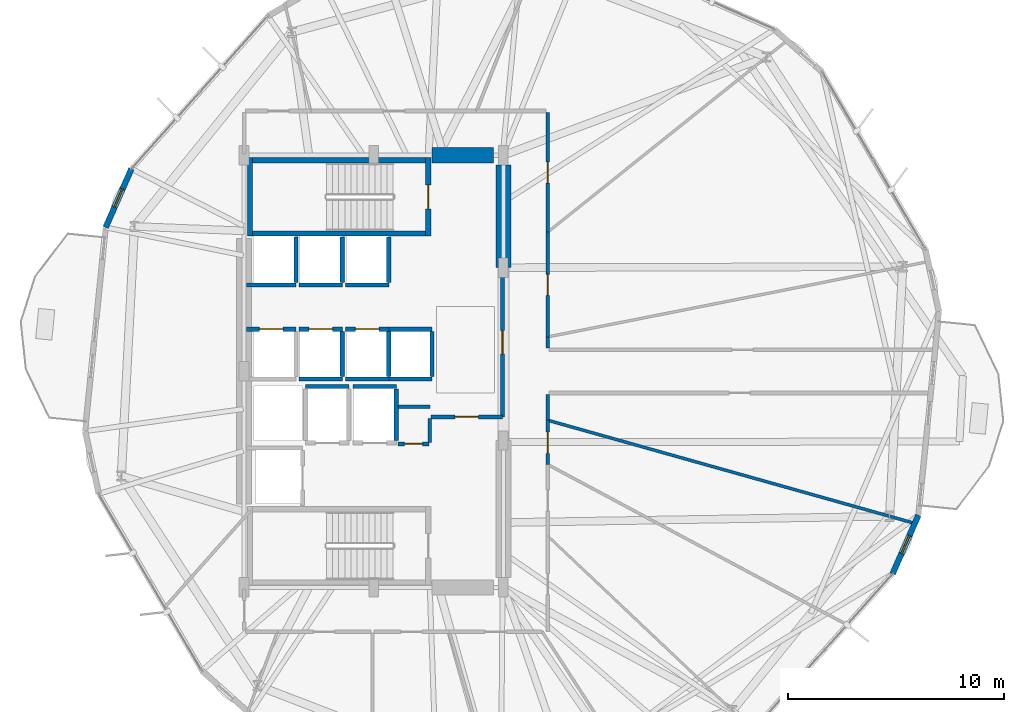
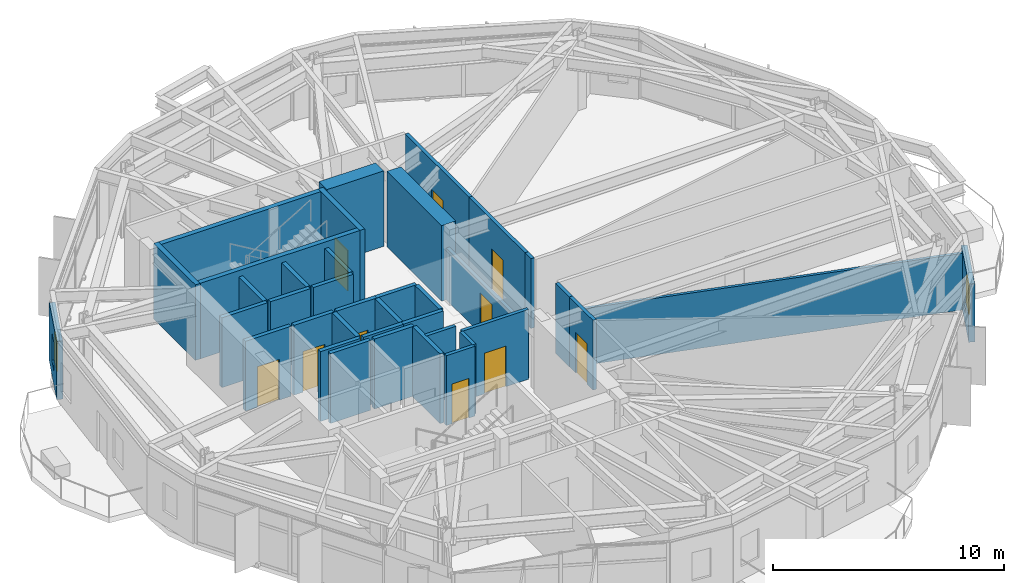
# One storey, part 18 of 22: 38 walls, 10 doors, 2 windows, 12 openings.
"""IFC4 building model written with IfcOpenShell, lengths in metres."""

from ifc_helpers import new_model, si_unit, direction, frame, frame_2d, origin, place, context, subcontext, project, spatial, rectangle, extrude, material, layer, layer_set, type_object, element, fill, save


model = new_model("IFC4")

# Units and contexts
model_context = context("Model", 3, precision=1e-05, world=origin(), true_north=direction((0.0, 1.0)))
body_context = subcontext(model_context, "Body", "Model", "MODEL_VIEW")
ifc_project = project(units=[si_unit("LENGTHUNIT", "METRE"), si_unit("AREAUNIT", "SQUARE_METRE"), si_unit("VOLUMEUNIT", "CUBIC_METRE"), si_unit("PLANEANGLEUNIT", "RADIAN"), si_unit("MASSUNIT", "GRAM", prefix="KILO")], contexts=[model_context])

# Site, building, storey
site_placement = place(None, origin())
site = spatial("IfcSite", under=ifc_project, at=site_placement, CompositionType="ELEMENT")
building_placement = place(site_placement, origin())
building = spatial("IfcBuilding", under=site, at=building_placement, Name="Soratama Intermodal Tower", CompositionType="ELEMENT")
storey_placement = place(building_placement, frame((0.0, 0.0, 74.60009765625)))
storey = spatial("IfcBuildingStorey", under=building, at=storey_placement, Name="L17", CompositionType="ELEMENT", Elevation=74.60009765625)

# Wall, opening, window
ifc_material_1 = material(Name="Concrete f'c 42 MPa", Category="concrete")
ifc_layer_1 = layer(ifc_material_1, 0.27001953125)
ifc_layer_set_1 = layer_set([ifc_layer_1], Name="Concrete f'c 42 MPa")
wall_type_1 = type_object("IfcWallType", Name="EW-CRN-270", PredefinedType="SOLIDWALL", material=ifc_layer_set_1)
wall_1_placement = place(storey_placement, frame((27.385009765625, 34.375, 0.0), z_axis=(0.0, 0.0, 1.0), x_axis=(-0.402859965055, -0.915261628473, 0.0)))
wall_1 = element("IfcWall", 1, at=wall_1_placement, inside=storey, type_object=wall_type_1, Name="L17 Corner Closure Wall 04", PredefinedType="SOLIDWALL", context=body_context, shape_type="SweptSolid", body=[
    extrude(rectangle(XDim=2.966552734375, YDim=0.27001953125, at=frame_2d((1.4833984375, 0.0))), origin(), (0.0, 0.0, 1.0), 3.078857421875),
])
opening_1_placement = place(wall_1_placement, frame((1.033203125, 0.0, 0.75)))
opening_1 = element("IfcOpeningElement", 2, at=opening_1_placement, cuts=wall_1, Name="Opening WN-6", PredefinedType="OPENING", context=body_context, shape_type="SweptSolid", body=[
    extrude(rectangle(XDim=0.89990234375, YDim=1.5, at=frame_2d((0.449951171875, 0.75))), frame((0.0, 0.14501953125, 0.0), z_axis=(0.0, -1.0, 0.0), x_axis=(1.0, 0.0, 0.0)), (0.0, 0.0, 1.0), 0.2900390625),
])
ifc_material_2 = material(Name="Double-glazed aluminium window", Category="aluminium")
window_type = type_object("IfcWindowType", Name="WN-FAC-900", PartitioningType="SINGLE_PANEL", PredefinedType="WINDOW", material=ifc_material_2)
window_1_placement = place(opening_1_placement, origin())
window_1 = element("IfcWindow", 3, at=window_1_placement, inside=storey, type_object=window_type, Name="L17 Corner Window 04", OverallHeight=1.5, OverallWidth=0.89990234375, PartitioningType="SINGLE_PANEL", PredefinedType="WINDOW", context=body_context, shape_type="SweptSolid", body=[
    extrude(rectangle(XDim=0.89990234375, YDim=1.5, at=frame_2d((0.449951171875, 0.75))), frame((0.0, 0.030029296875, 0.0), z_axis=(0.0, -1.0, 0.0), x_axis=(1.0, 0.0, 0.0)), (0.0, 0.0, 1.0), 0.06005859375),
])
fill(opening_1, window_1)

wall_2_placement = place(storey_placement, frame((62.614990234375, 15.625, 0.0), z_axis=(0.0, 0.0, 1.0), x_axis=(0.402859965055, 0.915261628473, 0.0)))
wall_2 = element("IfcWall", 4, at=wall_2_placement, inside=storey, type_object=wall_type_1, Name="L17 Corner Closure Wall 09", PredefinedType="SOLIDWALL", context=body_context, shape_type="SweptSolid", body=[
    extrude(rectangle(XDim=2.966552734375, YDim=0.27001953125, at=frame_2d((1.4833984375, 0.0))), origin(), (0.0, 0.0, 1.0), 3.078857421875),
])
opening_2_placement = place(wall_2_placement, frame((1.033203125, 0.0, 0.75)))
opening_2 = element("IfcOpeningElement", 5, at=opening_2_placement, cuts=wall_2, Name="Opening WN-6", PredefinedType="OPENING", context=body_context, shape_type="SweptSolid", body=[
    extrude(rectangle(XDim=0.89990234375, YDim=1.5, at=frame_2d((0.449951171875, 0.75))), frame((0.0, 0.14501953125, 0.0), z_axis=(0.0, -1.0, 0.0), x_axis=(1.0, 0.0, 0.0)), (0.0, 0.0, 1.0), 0.2900390625),
])
window_2_placement = place(opening_2_placement, origin())
window_2 = element("IfcWindow", 6, at=window_2_placement, inside=storey, type_object=window_type, Name="L17 Corner Window 09", OverallHeight=1.5, OverallWidth=0.89990234375, PartitioningType="SINGLE_PANEL", PredefinedType="WINDOW", context=body_context, shape_type="SweptSolid", body=[
    extrude(rectangle(XDim=0.89990234375, YDim=1.5, at=frame_2d((0.449951171875, 0.75))), frame((0.0, 0.030029296875, 0.0), z_axis=(0.0, -1.0, 0.0), x_axis=(1.0, 0.0, 0.0)), (0.0, 0.0, 1.0), 0.06005859375),
])
fill(opening_2, window_2)

# Wall, opening, door
ifc_material_3 = material(Name="Fire-rated gypsum stud partition", Category="concrete")
ifc_layer_2 = layer(ifc_material_3, 0.169921875)
ifc_layer_set_2 = layer_set([ifc_layer_2], Name="Fire-rated gypsum stud partition")
wall_type_2 = type_object("IfcWallType", Name="IW-PART-R170", PredefinedType="PARTITIONING", material=ifc_layer_set_2)
wall_3_placement = place(storey_placement, frame((44.56005859375, 29.800048828125, 0.0), z_axis=(0.0, 0.0, 1.0), x_axis=(0.0, -1.0, 0.0)))
wall_3 = element("IfcWall", 7, at=wall_3_placement, inside=storey, type_object=wall_type_2, Name="L17 Partition W-L17-TP012", PredefinedType="PARTITIONING", context=body_context, shape_type="SweptSolid", body=[
    extrude(rectangle(XDim=6.91015625, YDim=0.169921875, at=frame_2d((3.455078125, 0.0))), origin(), (0.0, 0.0, 1.0), 2.739990234375),
])
opening_3_placement = place(wall_3_placement, frame((2.9150390625, 0.0, 0.0)))
opening_3 = element("IfcOpeningElement", 8, at=opening_3_placement, cuts=wall_3, Name="Opening ID-1", PredefinedType="OPENING", context=body_context, shape_type="SweptSolid", body=[
    extrude(rectangle(XDim=1.080078125, YDim=2.14990234375, at=frame_2d((0.5400390625, 1.074951171875))), frame((0.0, 0.094970703125, 0.0), z_axis=(0.0, -1.0, 0.0), x_axis=(1.0, 0.0, 0.0)), (0.0, 0.0, 1.0), 0.18994140625),
])
ifc_material_4 = material(Name="Solid hardwood acoustic door", Category="wood")
door_type_1 = type_object("IfcDoorType", Name="DR-LOB-FD60", OperationType="NOTDEFINED", PredefinedType="DOOR", material=ifc_material_4)
door_1_placement = place(opening_3_placement, origin())
door_1 = element("IfcDoor", 9, at=door_1_placement, inside=storey, type_object=door_type_1, Name="L17 Door D-L17-TP004", OperationType="SINGLE_SWING_LEFT", OverallHeight=2.14990234375, OverallWidth=1.080078125, PredefinedType="DOOR", context=body_context, shape_type="SweptSolid", body=[
    extrude(rectangle(XDim=1.080078125, YDim=2.14990234375, at=frame_2d((0.5400390625, 1.074951171875))), frame((0.0, 0.02490234375, 0.0), z_axis=(0.0, -1.0, 0.0), x_axis=(1.0, 0.0, 0.0)), (0.0, 0.0, 1.0), 0.050048828125),
])
fill(opening_3, door_1)

wall_4_placement = place(storey_placement, frame((46.64990234375, 36.97998046875, 0.0), z_axis=(0.0, 0.0, 1.0), x_axis=(0.0, -1.0, 0.0)))
wall_4 = element("IfcWall", 10, at=wall_4_placement, inside=storey, type_object=wall_type_2, Name="L17 Partition W-L17-TP015", PredefinedType="PARTITIONING", context=body_context, shape_type="SweptSolid", body=[
    extrude(rectangle(XDim=5.5380859375, YDim=0.169921875, at=frame_2d((2.76904296875, 0.0))), origin(), (0.0, 0.0, 1.0), 3.699951171875),
])
opening_4_placement = place(wall_4_placement, frame((2.2939453125, 0.0, 0.0)))
opening_4 = element("IfcOpeningElement", 11, at=opening_4_placement, cuts=wall_4, Name="Opening ID-5", PredefinedType="OPENING", context=body_context, shape_type="SweptSolid", body=[
    extrude(rectangle(XDim=0.97998046875, YDim=2.14990234375, at=frame_2d((0.489990234375, 1.074951171875))), frame((0.0, 0.094970703125, 0.0), z_axis=(0.0, -1.0, 0.0), x_axis=(1.0, 0.0, 0.0)), (0.0, 0.0, 1.0), 0.18994140625),
])
ifc_material_5 = material(Name="Solid hardwood acoustic door", Category="wood")
door_type_2 = type_object("IfcDoorType", Name="DR-OFF-980", OperationType="NOTDEFINED", PredefinedType="DOOR", material=ifc_material_5)
door_2_placement = place(opening_4_placement, origin())
door_2 = element("IfcDoor", 12, at=door_2_placement, inside=storey, type_object=door_type_2, Name="L17 Door D-L17-TP005", OperationType="SINGLE_SWING_RIGHT", OverallHeight=2.14990234375, OverallWidth=0.97998046875, PredefinedType="DOOR", context=body_context, shape_type="SweptSolid", body=[
    extrude(rectangle(XDim=0.97998046875, YDim=2.14990234375, at=frame_2d((0.489990234375, 1.074951171875))), frame((0.0, 0.02490234375, 0.0), z_axis=(0.0, -1.0, 0.0), x_axis=(1.0, 0.0, 0.0)), (0.0, 0.0, 1.0), 0.050048828125),
])
fill(opening_4, door_2)

wall_5_placement = place(storey_placement, frame((46.64990234375, 31.44189453125, 0.0), z_axis=(0.0, 0.0, 1.0), x_axis=(0.0, -1.0, 0.0)))
wall_5 = element("IfcWall", 13, at=wall_5_placement, inside=storey, type_object=wall_type_2, Name="L17 Partition W-L17-TP017", PredefinedType="PARTITIONING", context=body_context, shape_type="SweptSolid", body=[
    extrude(rectangle(XDim=4.848876953125, YDim=0.169921875, at=frame_2d((2.42431640625, 0.0))), origin(), (0.0, 0.0, 1.0), 3.699951171875),
])
opening_5_placement = place(wall_5_placement, frame((1.949951171875, 0.0, 0.0)))
opening_5 = element("IfcOpeningElement", 14, at=opening_5_placement, cuts=wall_5, Name="Opening ID-5", PredefinedType="OPENING", context=body_context, shape_type="SweptSolid", body=[
    extrude(rectangle(XDim=0.97998046875, YDim=2.14990234375, at=frame_2d((0.489990234375, 1.074951171875))), frame((0.0, 0.094970703125, 0.0), z_axis=(0.0, -1.0, 0.0), x_axis=(1.0, 0.0, 0.0)), (0.0, 0.0, 1.0), 0.18994140625),
])
door_3_placement = place(opening_5_placement, origin())
door_3 = element("IfcDoor", 15, at=door_3_placement, inside=storey, type_object=door_type_2, Name="L17 Door D-L17-TP006", OperationType="SINGLE_SWING_LEFT", OverallHeight=2.14990234375, OverallWidth=0.97998046875, PredefinedType="DOOR", context=body_context, shape_type="SweptSolid", body=[
    extrude(rectangle(XDim=0.97998046875, YDim=2.14990234375, at=frame_2d((0.489990234375, 1.074951171875))), frame((0.0, 0.02490234375, 0.0), z_axis=(0.0, -1.0, 0.0), x_axis=(1.0, 0.0, 0.0)), (0.0, 0.0, 1.0), 0.050048828125),
])
fill(opening_5, door_3)

wall_6_placement = place(storey_placement, frame((41.239990234375, 22.889892578125, 0.0), z_axis=(0.0, 0.0, 1.0), x_axis=(1.0, 0.0, 0.0)))
wall_6 = element("IfcWall", 16, at=wall_6_placement, inside=storey, type_object=wall_type_2, Name="L17 Partition W-L17-TP023", PredefinedType="PARTITIONING", context=body_context, shape_type="SweptSolid", body=[
    extrude(rectangle(XDim=3.320068359375, YDim=0.169921875, at=frame_2d((1.66015625, 0.0))), origin(), (0.0, 0.0, 1.0), 3.699951171875),
])
opening_6_placement = place(wall_6_placement, frame((1.1201171875, 0.0, 0.0)))
opening_6 = element("IfcOpeningElement", 17, at=opening_6_placement, cuts=wall_6, Name="Opening ID-0", PredefinedType="OPENING", context=body_context, shape_type="SweptSolid", body=[
    extrude(rectangle(XDim=1.080078125, YDim=2.14990234375, at=frame_2d((0.5400390625, 1.074951171875))), frame((0.0, 0.094970703125, 0.0), z_axis=(0.0, -1.0, 0.0), x_axis=(1.0, 0.0, 0.0)), (0.0, 0.0, 1.0), 0.18994140625),
])
ifc_material_6 = material(Name="Solid hardwood acoustic door", Category="wood")
door_type_3 = type_object("IfcDoorType", Name="DR-LOB-FD90", OperationType="NOTDEFINED", PredefinedType="DOOR", material=ifc_material_6)
door_4_placement = place(opening_6_placement, origin())
door_4 = element("IfcDoor", 18, at=door_4_placement, inside=storey, type_object=door_type_3, Name="L17 Door D-L17-TP011", OperationType="SINGLE_SWING_RIGHT", OverallHeight=2.14990234375, OverallWidth=1.080078125, PredefinedType="DOOR", context=body_context, shape_type="SweptSolid", body=[
    extrude(rectangle(XDim=1.080078125, YDim=2.14990234375, at=frame_2d((0.5400390625, 1.074951171875))), frame((0.0, 0.02490234375, 0.0), z_axis=(0.0, -1.0, 0.0), x_axis=(1.0, 0.0, 0.0)), (0.0, 0.0, 1.0), 0.050048828125),
])
fill(opening_6, door_4)

wall_7_placement = place(storey_placement, frame((46.64990234375, 22.738037109375, 0.0), z_axis=(0.0, 0.0, 1.0), x_axis=(0.0, -1.0, 0.0)))
wall_7 = element("IfcWall", 19, at=wall_7_placement, inside=storey, type_object=wall_type_2, Name="L17 Partition W-L17-TP027", PredefinedType="PARTITIONING", context=body_context, shape_type="SweptSolid", body=[
    extrude(rectangle(XDim=2.049072265625, YDim=0.169921875, at=frame_2d((1.0244140625, 0.0))), origin(), (0.0, 0.0, 1.0), 3.699951171875),
])
opening_7_placement = place(wall_7_placement, frame((0.549072265625, 0.0, 0.0)))
opening_7 = element("IfcOpeningElement", 20, at=opening_7_placement, cuts=wall_7, Name="Opening ID-5", PredefinedType="OPENING", context=body_context, shape_type="SweptSolid", body=[
    extrude(rectangle(XDim=0.97998046875, YDim=2.14990234375, at=frame_2d((0.489990234375, 1.074951171875))), frame((0.0, 0.094970703125, 0.0), z_axis=(0.0, -1.0, 0.0), x_axis=(1.0, 0.0, 0.0)), (0.0, 0.0, 1.0), 0.18994140625),
])
door_5_placement = place(opening_7_placement, origin())
door_5 = element("IfcDoor", 21, at=door_5_placement, inside=storey, type_object=door_type_2, Name="L17 Door D-L17-TP014", OperationType="SINGLE_SWING_LEFT", OverallHeight=2.14990234375, OverallWidth=0.97998046875, PredefinedType="DOOR", context=body_context, shape_type="SweptSolid", body=[
    extrude(rectangle(XDim=0.97998046875, YDim=2.14990234375, at=frame_2d((0.489990234375, 1.074951171875))), frame((0.0, 0.02490234375, 0.0), z_axis=(0.0, -1.0, 0.0), x_axis=(1.0, 0.0, 0.0)), (0.0, 0.0, 1.0), 0.050048828125),
])
fill(opening_7, door_5)

wall_8_placement = place(storey_placement, frame((39.719970703125, 21.639892578125, 0.0), z_axis=(0.0, 0.0, 1.0), x_axis=(1.0, 0.0, 0.0)))
wall_8 = element("IfcWall", 22, at=wall_8_placement, inside=storey, type_object=wall_type_2, Name="L17 Partition W-L17-TP031", PredefinedType="PARTITIONING", context=body_context, shape_type="SweptSolid", body=[
    extrude(rectangle(XDim=1.43994140625, YDim=0.169921875, at=frame_2d((0.719970703125, 0.0))), origin(), (0.0, 0.0, 1.0), 3.699951171875),
])
opening_8_placement = place(wall_8_placement, frame((0.294921875, 0.0, 0.0)))
opening_8 = element("IfcOpeningElement", 23, at=opening_8_placement, cuts=wall_8, Name="Opening ID-4", PredefinedType="OPENING", context=body_context, shape_type="SweptSolid", body=[
    extrude(rectangle(XDim=0.85009765625, YDim=2.10009765625, at=frame_2d((0.425048828125, 1.050048828125))), frame((0.0, 0.094970703125, 0.0), z_axis=(0.0, -1.0, 0.0), x_axis=(1.0, 0.0, 0.0)), (0.0, 0.0, 1.0), 0.18994140625),
])
ifc_material_7 = material(Name="Solid hardwood acoustic door", Category="wood")
door_type_4 = type_object("IfcDoorType", Name="DR-BATH-850", OperationType="NOTDEFINED", PredefinedType="DOOR", material=ifc_material_7)
door_6_placement = place(opening_8_placement, origin())
door_6 = element("IfcDoor", 24, at=door_6_placement, inside=storey, type_object=door_type_4, Name="L17 Door D-L17-TP016", OperationType="SINGLE_SWING_LEFT", OverallHeight=2.10009765625, OverallWidth=0.85009765625, PredefinedType="DOOR", context=body_context, shape_type="SweptSolid", body=[
    extrude(rectangle(XDim=0.85009765625, YDim=2.10009765625, at=frame_2d((0.425048828125, 1.050048828125))), frame((0.0, 0.02490234375, 0.0), z_axis=(0.0, -1.0, 0.0), x_axis=(1.0, 0.0, 0.0)), (0.0, 0.0, 1.0), 0.050048828125),
])
fill(opening_8, door_6)

# Walls
wall_9_placement = place(storey_placement, frame((46.64990234375, 23.929931640625, 0.0), z_axis=(0.0, 0.0, 1.0), x_axis=(0.0, -1.0, 0.0)))
element("IfcWall", 25, at=wall_9_placement, inside=storey, type_object=wall_type_2, Name="L17 Partition W-L17-TP032", PredefinedType="PARTITIONING", context=body_context, shape_type="SweptSolid", body=[
    extrude(rectangle(XDim=1.19189453125, YDim=0.169921875, at=frame_2d((0.595947265625, 0.0))), origin(), (0.0, 0.0, 1.0), 3.699951171875),
])
wall_10_placement = place(storey_placement, frame((41.199951171875, 21.699951171875, 0.0), z_axis=(0.0, 0.0, 1.0), x_axis=(0.0, 1.0, 0.0)))
element("IfcWall", 26, at=wall_10_placement, inside=storey, type_object=wall_type_2, Name="L17 Partition W-L17-TP033", PredefinedType="PARTITIONING", context=body_context, shape_type="SweptSolid", body=[
    extrude(rectangle(XDim=1.1201171875, YDim=0.169921875, at=frame_2d((0.56005859375, 0.0))), origin(), (0.0, 0.0, 1.0), 3.699951171875),
])
wall_11_placement = place(storey_placement, frame((46.64990234375, 26.593017578125, 0.0), z_axis=(0.0, 0.0, 1.0), x_axis=(0.0, -1.0, 0.0)))
element("IfcWall", 27, at=wall_11_placement, inside=storey, type_object=wall_type_2, Name="L17 Partition W-L17-TP034", PredefinedType="PARTITIONING", context=body_context, shape_type="SweptSolid", body=[
    extrude(rectangle(XDim=0.52294921875, YDim=0.169921875, at=frame_2d((0.261474609375, 0.0))), origin(), (0.0, 0.0, 1.0), 3.699951171875),
])
wall_12_placement = place(storey_placement, frame((41.199951171875, 23.360107421875, 0.0), z_axis=(0.0, 0.0, 1.0), x_axis=(-1.0, 0.0, 0.0)))
element("IfcWall", 28, at=wall_12_placement, inside=storey, type_object=wall_type_2, Name="L17 Partition W-L17-TP035", PredefinedType="PARTITIONING", context=body_context, shape_type="SweptSolid", body=[
    extrude(rectangle(XDim=1.47998046875, YDim=0.169921875, at=frame_2d((0.739990234375, 0.0))), origin(), (0.0, 0.0, 1.0), 3.699951171875),
])
ifc_material_8 = material(Name="Fire-rated gypsum stud partition", Category="concrete")
ifc_layer_3 = layer(ifc_material_8, 0.139892578125)
ifc_layer_set_3 = layer_set([ifc_layer_3], Name="Fire-rated gypsum stud partition")
wall_type_3 = type_object("IfcWallType", Name="IW-PART-S140", PredefinedType="PARTITIONING", material=ifc_layer_set_3)
wall_13_placement = place(storey_placement, frame((46.64990234375, 22.738037109375, 0.0), z_axis=(0.0, 0.0, 1.0), x_axis=(0.96272520574, -0.270481382415, 0.0)))
element("IfcWall", 29, at=wall_13_placement, inside=storey, type_object=wall_type_3, Name="L17 Partition W-L17-TP003", PredefinedType="PARTITIONING", context=body_context, shape_type="SweptSolid", body=[
    extrude(rectangle(XDim=17.716552734375, YDim=0.139892578125, at=frame_2d((8.8583984375, 0.0))), origin(), (0.0, 0.0, 1.0), 2.994873046875),
])
ifc_material_9 = material(Name="Concrete f'c 42 MPa", Category="concrete")
ifc_layer_4 = layer(ifc_material_9, 0.199951171875)
ifc_layer_set_4 = layer_set([ifc_layer_4], Name="Concrete f'c 42 MPa")
wall_type_4 = type_object("IfcWallType", Name="IW-SHAFT-200", PredefinedType="SOLIDWALL", material=ifc_layer_set_4)
for number, where, z_axis, x_axis, name in (
    (30, (35.449951171875, 24.300048828125, 0.0), (0.0, 0.0, 1.0), (1.0, 0.0, 0.0), "L17 FFL-1 Hoistway Wall N"),
    (31, (37.64990234375, 24.300048828125, 0.0), (0.0, 0.0, 1.0), (1.0, 0.0, 0.0), "L17 FFL-2 Hoistway Wall N"),
):
    element("IfcWall", number, at=place(storey_placement, frame(where, z_axis=z_axis, x_axis=x_axis)), inside=storey, type_object=wall_type_4, Name=name, PredefinedType="SOLIDWALL", context=body_context, shape_type="SweptSolid", body=[
        extrude(rectangle(XDim=2.0, YDim=0.199951171875, at=frame_2d((1.0, 0.0))), origin(), (0.0, 0.0, 1.0), 3.699951171875),
    ])
wall_14_placement = place(storey_placement, frame((39.64990234375, 21.81005859375, 0.0), z_axis=(0.0, 0.0, 1.0), x_axis=(0.0, 1.0, 0.0)))
element("IfcWall", 32, at=wall_14_placement, inside=storey, type_object=wall_type_4, Name="L17 FFL-2 Hoistway Wall E", PredefinedType="SOLIDWALL", context=body_context, shape_type="SweptSolid", body=[
    extrude(rectangle(XDim=2.3798828125, YDim=0.199951171875, at=frame_2d((1.18994140625, 0.0))), origin(), (0.0, 0.0, 1.0), 3.699951171875),
])

# Wall, opening, door
wall_15_placement = place(storey_placement, frame((32.719970703125, 26.949951171875, 0.0), z_axis=(0.0, 0.0, 1.0), x_axis=(1.0, 0.0, 0.0)))
wall_15 = element("IfcWall", 33, at=wall_15_placement, inside=storey, type_object=wall_type_4, Name="L17 PL-L1 Hoistway Wall N", PredefinedType="SOLIDWALL", context=body_context, shape_type="SweptSolid", body=[
    extrude(rectangle(XDim=2.280029296875, YDim=0.199951171875, at=frame_2d((1.14013671875, 0.0))), origin(), (0.0, 0.0, 1.0), 3.699951171875),
])
opening_9_placement = place(wall_15_placement, frame((0.590087890625, 0.0, 0.0)))
opening_9 = element("IfcOpeningElement", 34, at=opening_9_placement, cuts=wall_15, Name="Opening LD-1", PredefinedType="OPENING", context=body_context, shape_type="SweptSolid", body=[
    extrude(rectangle(XDim=1.10009765625, YDim=2.14990234375, at=frame_2d((0.550048828125, 1.074951171875))), frame((0.0, 0.10986328125, 0.0), z_axis=(0.0, -1.0, 0.0), x_axis=(1.0, 0.0, 0.0)), (0.0, 0.0, 1.0), 0.219970703125),
])
ifc_material_10 = material(Name="Steel fire door", Category="steel")
door_type_5 = type_object("IfcDoorType", Name="DR-LIFT-SLIDE", OperationType="NOTDEFINED", PredefinedType="DOOR", material=ifc_material_10)
door_7_placement = place(opening_9_placement, origin())
door_7 = element("IfcDoor", 35, at=door_7_placement, inside=storey, type_object=door_type_5, Name="L17 PL-L1 Sliding Landing Door", OperationType="SLIDING_TO_LEFT", OverallHeight=2.14990234375, OverallWidth=1.10009765625, PredefinedType="DOOR", context=body_context, shape_type="SweptSolid", body=[
    extrude(rectangle(XDim=1.10009765625, YDim=2.14990234375, at=frame_2d((0.550048828125, 1.074951171875))), frame((0.0, 0.02490234375, 0.0), z_axis=(0.0, -1.0, 0.0), x_axis=(1.0, 0.0, 0.0)), (0.0, 0.0, 1.0), 0.050048828125),
])
fill(opening_9, door_7)

# Wall
wall_16_placement = place(storey_placement, frame((35.14990234375, 24.64990234375, 0.0), z_axis=(0.0, 0.0, 1.0), x_axis=(1.0, 0.0, 0.0)))
element("IfcWall", 36, at=wall_16_placement, inside=storey, type_object=wall_type_4, Name="L17 PL-L2 Hoistway Wall S", PredefinedType="SOLIDWALL", context=body_context, shape_type="SweptSolid", body=[
    extrude(rectangle(XDim=2.0, YDim=0.199951171875, at=frame_2d((1.0, 0.0))), origin(), (0.0, 0.0, 1.0), 3.699951171875),
])

# Wall, opening, door
wall_17_placement = place(storey_placement, frame((35.14990234375, 26.949951171875, 0.0), z_axis=(0.0, 0.0, 1.0), x_axis=(1.0, 0.0, 0.0)))
wall_17 = element("IfcWall", 37, at=wall_17_placement, inside=storey, type_object=wall_type_4, Name="L17 PL-L2 Hoistway Wall N", PredefinedType="SOLIDWALL", context=body_context, shape_type="SweptSolid", body=[
    extrude(rectangle(XDim=2.0, YDim=0.199951171875, at=frame_2d((1.0, 0.0))), origin(), (0.0, 0.0, 1.0), 3.699951171875),
])
opening_10_placement = place(wall_17_placement, frame((0.449951171875, 0.0, 0.0)))
opening_10 = element("IfcOpeningElement", 38, at=opening_10_placement, cuts=wall_17, Name="Opening LD-1", PredefinedType="OPENING", context=body_context, shape_type="SweptSolid", body=[
    extrude(rectangle(XDim=1.10009765625, YDim=2.14990234375, at=frame_2d((0.550048828125, 1.074951171875))), frame((0.0, 0.10986328125, 0.0), z_axis=(0.0, -1.0, 0.0), x_axis=(1.0, 0.0, 0.0)), (0.0, 0.0, 1.0), 0.219970703125),
])
door_8_placement = place(opening_10_placement, origin())
door_8 = element("IfcDoor", 39, at=door_8_placement, inside=storey, type_object=door_type_5, Name="L17 PL-L2 Sliding Landing Door", OperationType="SLIDING_TO_LEFT", OverallHeight=2.14990234375, OverallWidth=1.10009765625, PredefinedType="DOOR", context=body_context, shape_type="SweptSolid", body=[
    extrude(rectangle(XDim=1.10009765625, YDim=2.14990234375, at=frame_2d((0.550048828125, 1.074951171875))), frame((0.0, 0.02490234375, 0.0), z_axis=(0.0, -1.0, 0.0), x_axis=(1.0, 0.0, 0.0)), (0.0, 0.0, 1.0), 0.050048828125),
])
fill(opening_10, door_8)

# Walls
wall_18_placement = place(storey_placement, frame((37.14990234375, 24.760009765625, 0.0), z_axis=(0.0, 0.0, 1.0), x_axis=(0.0, 1.0, 0.0)))
element("IfcWall", 40, at=wall_18_placement, inside=storey, type_object=wall_type_4, Name="L17 PL-L2 Hoistway Wall E", PredefinedType="SOLIDWALL", context=body_context, shape_type="SweptSolid", body=[
    extrude(rectangle(XDim=2.080078125, YDim=0.199951171875, at=frame_2d((1.0400390625, 0.0))), origin(), (0.0, 0.0, 1.0), 3.699951171875),
])
wall_19_placement = place(storey_placement, frame((37.300048828125, 24.64990234375, 0.0), z_axis=(0.0, 0.0, 1.0), x_axis=(1.0, 0.0, 0.0)))
element("IfcWall", 41, at=wall_19_placement, inside=storey, type_object=wall_type_4, Name="L17 PL-L3 Hoistway Wall S", PredefinedType="SOLIDWALL", context=body_context, shape_type="SweptSolid", body=[
    extrude(rectangle(XDim=2.0, YDim=0.199951171875, at=frame_2d((1.0, 0.0))), origin(), (0.0, 0.0, 1.0), 3.699951171875),
])

# Wall, opening, door
wall_20_placement = place(storey_placement, frame((37.300048828125, 26.949951171875, 0.0), z_axis=(0.0, 0.0, 1.0), x_axis=(1.0, 0.0, 0.0)))
wall_20 = element("IfcWall", 42, at=wall_20_placement, inside=storey, type_object=wall_type_4, Name="L17 PL-L3 Hoistway Wall N", PredefinedType="SOLIDWALL", context=body_context, shape_type="SweptSolid", body=[
    extrude(rectangle(XDim=2.0, YDim=0.199951171875, at=frame_2d((1.0, 0.0))), origin(), (0.0, 0.0, 1.0), 3.699951171875),
])
opening_11_placement = place(wall_20_placement, frame((0.449951171875, 0.0, 0.0)))
opening_11 = element("IfcOpeningElement", 43, at=opening_11_placement, cuts=wall_20, Name="Opening LD-1", PredefinedType="OPENING", context=body_context, shape_type="SweptSolid", body=[
    extrude(rectangle(XDim=1.10009765625, YDim=2.14990234375, at=frame_2d((0.550048828125, 1.074951171875))), frame((0.0, 0.10986328125, 0.0), z_axis=(0.0, -1.0, 0.0), x_axis=(1.0, 0.0, 0.0)), (0.0, 0.0, 1.0), 0.219970703125),
])
door_9_placement = place(opening_11_placement, origin())
door_9 = element("IfcDoor", 44, at=door_9_placement, inside=storey, type_object=door_type_5, Name="L17 PL-L3 Sliding Landing Door", OperationType="SLIDING_TO_LEFT", OverallHeight=2.14990234375, OverallWidth=1.10009765625, PredefinedType="DOOR", context=body_context, shape_type="SweptSolid", body=[
    extrude(rectangle(XDim=1.10009765625, YDim=2.14990234375, at=frame_2d((0.550048828125, 1.074951171875))), frame((0.0, 0.02490234375, 0.0), z_axis=(0.0, -1.0, 0.0), x_axis=(1.0, 0.0, 0.0)), (0.0, 0.0, 1.0), 0.050048828125),
])
fill(opening_11, door_9)

# Walls
wall_21_placement = place(storey_placement, frame((39.300048828125, 24.760009765625, 0.0), z_axis=(0.0, 0.0, 1.0), x_axis=(0.0, 1.0, 0.0)))
element("IfcWall", 45, at=wall_21_placement, inside=storey, type_object=wall_type_4, Name="L17 PL-L3 Hoistway Wall E", PredefinedType="SOLIDWALL", context=body_context, shape_type="SweptSolid", body=[
    extrude(rectangle(XDim=2.080078125, YDim=0.199951171875, at=frame_2d((1.0400390625, 0.0))), origin(), (0.0, 0.0, 1.0), 3.699951171875),
])
for number, where, z_axis, x_axis, name in (
    (46, (39.300048828125, 24.64990234375, 0.0), (0.0, 0.0, 1.0), (1.0, 0.0, 0.0), "L17 PL-M1 Hoistway Wall S"),
    (47, (39.300048828125, 26.949951171875, 0.0), (0.0, 0.0, 1.0), (1.0, 0.0, 0.0), "L17 PL-M1 Hoistway Wall N"),
):
    element("IfcWall", number, at=place(storey_placement, frame(where, z_axis=z_axis, x_axis=x_axis)), inside=storey, type_object=wall_type_4, Name=name, PredefinedType="SOLIDWALL", context=body_context, shape_type="SweptSolid", body=[
        extrude(rectangle(XDim=2.0, YDim=0.199951171875, at=frame_2d((1.0, 0.0))), origin(), (0.0, 0.0, 1.0), 3.699951171875),
    ])
wall_22_placement = place(storey_placement, frame((41.300048828125, 24.760009765625, 0.0), z_axis=(0.0, 0.0, 1.0), x_axis=(0.0, 1.0, 0.0)))
element("IfcWall", 48, at=wall_22_placement, inside=storey, type_object=wall_type_4, Name="L17 PL-M1 Hoistway Wall E", PredefinedType="SOLIDWALL", context=body_context, shape_type="SweptSolid", body=[
    extrude(rectangle(XDim=2.080078125, YDim=0.199951171875, at=frame_2d((1.0400390625, 0.0))), origin(), (0.0, 0.0, 1.0), 3.699951171875),
])
wall_23_placement = place(storey_placement, frame((32.719970703125, 29.0, 0.0), z_axis=(0.0, 0.0, 1.0), x_axis=(1.0, 0.0, 0.0)))
element("IfcWall", 49, at=wall_23_placement, inside=storey, type_object=wall_type_4, Name="L17 PL-M2 Hoistway Wall S", PredefinedType="SOLIDWALL", context=body_context, shape_type="SweptSolid", body=[
    extrude(rectangle(XDim=2.280029296875, YDim=0.199951171875, at=frame_2d((1.14013671875, 0.0))), origin(), (0.0, 0.0, 1.0), 3.699951171875),
])
wall_24_placement = place(storey_placement, frame((35.0, 29.110107421875, 0.0), z_axis=(0.0, 0.0, 1.0), x_axis=(0.0, 1.0, 0.0)))
element("IfcWall", 50, at=wall_24_placement, inside=storey, type_object=wall_type_4, Name="L17 PL-M2 Hoistway Wall E", PredefinedType="SOLIDWALL", context=body_context, shape_type="SweptSolid", body=[
    extrude(rectangle(XDim=2.099853515625, YDim=0.199951171875, at=frame_2d((1.0498046875, 0.0))), origin(), (0.0, 0.0, 1.0), 3.699951171875),
])
wall_25_placement = place(storey_placement, frame((35.14990234375, 29.0, 0.0), z_axis=(0.0, 0.0, 1.0), x_axis=(1.0, 0.0, 0.0)))
element("IfcWall", 51, at=wall_25_placement, inside=storey, type_object=wall_type_4, Name="L17 PL-H1 Hoistway Wall S", PredefinedType="SOLIDWALL", context=body_context, shape_type="SweptSolid", body=[
    extrude(rectangle(XDim=2.0, YDim=0.199951171875, at=frame_2d((1.0, 0.0))), origin(), (0.0, 0.0, 1.0), 3.699951171875),
])
wall_26_placement = place(storey_placement, frame((37.14990234375, 29.110107421875, 0.0), z_axis=(0.0, 0.0, 1.0), x_axis=(0.0, 1.0, 0.0)))
element("IfcWall", 52, at=wall_26_placement, inside=storey, type_object=wall_type_4, Name="L17 PL-H1 Hoistway Wall E", PredefinedType="SOLIDWALL", context=body_context, shape_type="SweptSolid", body=[
    extrude(rectangle(XDim=2.099853515625, YDim=0.199951171875, at=frame_2d((1.0498046875, 0.0))), origin(), (0.0, 0.0, 1.0), 3.699951171875),
])
wall_27_placement = place(storey_placement, frame((37.300048828125, 29.0, 0.0), z_axis=(0.0, 0.0, 1.0), x_axis=(1.0, 0.0, 0.0)))
element("IfcWall", 53, at=wall_27_placement, inside=storey, type_object=wall_type_4, Name="L17 PL-H2 Hoistway Wall S", PredefinedType="SOLIDWALL", context=body_context, shape_type="SweptSolid", body=[
    extrude(rectangle(XDim=2.0, YDim=0.199951171875, at=frame_2d((1.0, 0.0))), origin(), (0.0, 0.0, 1.0), 3.699951171875),
])
wall_28_placement = place(storey_placement, frame((39.300048828125, 29.110107421875, 0.0), z_axis=(0.0, 0.0, 1.0), x_axis=(0.0, 1.0, 0.0)))
element("IfcWall", 54, at=wall_28_placement, inside=storey, type_object=wall_type_4, Name="L17 PL-H2 Hoistway Wall E", PredefinedType="SOLIDWALL", context=body_context, shape_type="SweptSolid", body=[
    extrude(rectangle(XDim=2.099853515625, YDim=0.199951171875, at=frame_2d((1.0498046875, 0.0))), origin(), (0.0, 0.0, 1.0), 3.699951171875),
])
ifc_material_11 = material(Name="Concrete f'c 56 MPa", Category="concrete")
ifc_layer_5 = layer(ifc_material_11, 0.699951171875)
ifc_layer_set_5 = layer_set([ifc_layer_5], Name="Concrete f'c 56 MPa")
wall_type_5 = type_object("IfcWallType", Name="SW-CORE-700", PredefinedType="SHEAR", material=ifc_layer_set_5)
wall_29_placement = place(storey_placement, frame((41.300048828125, 35.0, 0.0), z_axis=(0.0, 0.0, 1.0), x_axis=(1.0, 0.0, 0.0)))
element("IfcWall", 55, at=wall_29_placement, inside=storey, type_object=wall_type_5, Name="L17 Core Shear Wall CW-NE", PredefinedType="SHEAR", context=body_context, shape_type="SweptSolid", body=[
    extrude(rectangle(XDim=2.849853515625, YDim=0.699951171875, at=frame_2d((1.4248046875, 0.0))), origin(), (0.0, 0.0, 1.0), 4.0),
])
wall_30_placement = place(storey_placement, frame((44.60009765625, 29.800048828125, 0.0), z_axis=(0.0, 0.0, 1.0), x_axis=(0.0, 1.0, 0.0)))
element("IfcWall", 56, at=wall_30_placement, inside=storey, type_object=wall_type_5, Name="L17 Core Shear Wall CW-EN", PredefinedType="SHEAR", context=body_context, shape_type="SweptSolid", body=[
    extrude(rectangle(XDim=4.75, YDim=0.699951171875, at=frame_2d((2.375, 0.0))), origin(), (0.0, 0.0, 1.0), 4.0),
])
ifc_material_12 = material(Name="Concrete f'c 56 MPa", Category="concrete")
ifc_layer_6 = layer(ifc_material_12, 0.239990234375)
ifc_layer_set_6 = layer_set([ifc_layer_6], Name="Concrete f'c 56 MPa")
wall_type_6 = type_object("IfcWallType", Name="SW-STAIR-240", PredefinedType="SHEAR", material=ifc_layer_set_6)
wall_31_placement = place(storey_placement, frame((32.8798828125, 31.260009765625, 0.0), z_axis=(0.0, 0.0, 1.0), x_axis=(0.0, 1.0, 0.0)))
element("IfcWall", 57, at=wall_31_placement, inside=storey, type_object=wall_type_6, Name="L17 ST-2 Shaft Shear Wall W", PredefinedType="SHEAR", context=body_context, shape_type="SweptSolid", body=[
    extrude(rectangle(XDim=3.6298828125, YDim=0.239990234375, at=frame_2d((1.81494140625, 0.0))), origin(), (0.0, 0.0, 1.0), 4.0),
])

# Wall, opening, door
wall_32_placement = place(storey_placement, frame((41.1201171875, 31.260009765625, 0.0), z_axis=(0.0, 0.0, 1.0), x_axis=(0.0, 1.0, 0.0)))
wall_32 = element("IfcWall", 58, at=wall_32_placement, inside=storey, type_object=wall_type_6, Name="L17 ST-2 Shaft Shear Wall E", PredefinedType="SHEAR", context=body_context, shape_type="SweptSolid", body=[
    extrude(rectangle(XDim=3.6298828125, YDim=0.239990234375, at=frame_2d((1.81494140625, 0.0))), origin(), (0.0, 0.0, 1.0), 4.0),
])
opening_12_placement = place(wall_32_placement, frame((1.2548828125, 0.0, 0.0)))
opening_12 = element("IfcOpeningElement", 59, at=opening_12_placement, cuts=wall_32, Name="Opening SD-1", PredefinedType="OPENING", context=body_context, shape_type="SweptSolid", body=[
    extrude(rectangle(XDim=1.1201171875, YDim=2.14990234375, at=frame_2d((0.56005859375, 1.074951171875))), frame((0.0, 0.1298828125, 0.0), z_axis=(0.0, -1.0, 0.0), x_axis=(1.0, 0.0, 0.0)), (0.0, 0.0, 1.0), 0.260009765625),
])
ifc_material_13 = material(Name="Steel fire door", Category="steel")
door_type_6 = type_object("IfcDoorType", Name="DR-STAIR-FD90", OperationType="NOTDEFINED", PredefinedType="DOOR", material=ifc_material_13)
door_10_placement = place(opening_12_placement, origin())
door_10 = element("IfcDoor", 60, at=door_10_placement, inside=storey, type_object=door_type_6, Name="L17 ST-2 Exit Stair Door", OperationType="SINGLE_SWING_RIGHT", OverallHeight=2.14990234375, OverallWidth=1.1201171875, PredefinedType="DOOR", context=body_context, shape_type="SweptSolid", body=[
    extrude(rectangle(XDim=1.1201171875, YDim=2.14990234375, at=frame_2d((0.56005859375, 1.074951171875))), frame((0.0, 0.02490234375, 0.0), z_axis=(0.0, -1.0, 0.0), x_axis=(1.0, 0.0, 0.0)), (0.0, 0.0, 1.0), 0.050048828125),
])
fill(opening_12, door_10)

# Walls
for number, where, z_axis, x_axis, name in (
    (61, (33.0, 31.3798828125, 0.0), (0.0, 0.0, 1.0), (1.0, 0.0, 0.0), "L17 ST-2 Shaft Shear Wall S"),
    (62, (33.0, 34.77001953125, 0.0), (0.0, 0.0, 1.0), (1.0, 0.0, 0.0), "L17 ST-2 Shaft Shear Wall N"),
):
    element("IfcWall", number, at=place(storey_placement, frame(where, z_axis=z_axis, x_axis=x_axis)), inside=storey, type_object=wall_type_6, Name=name, PredefinedType="SHEAR", context=body_context, shape_type="SweptSolid", body=[
        extrude(rectangle(XDim=8.0, YDim=0.239990234375, at=frame_2d((4.0, 0.0))), origin(), (0.0, 0.0, 1.0), 4.0),
    ])

save(model, "model.ifc")
